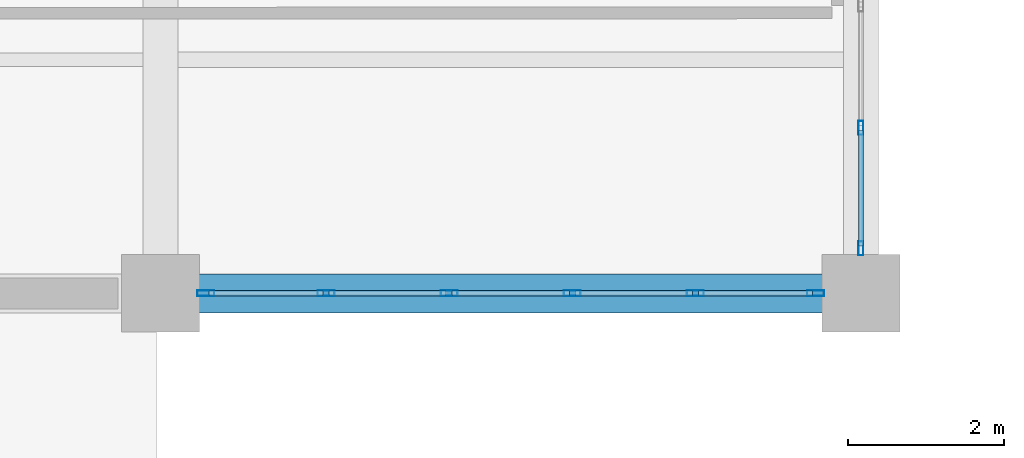
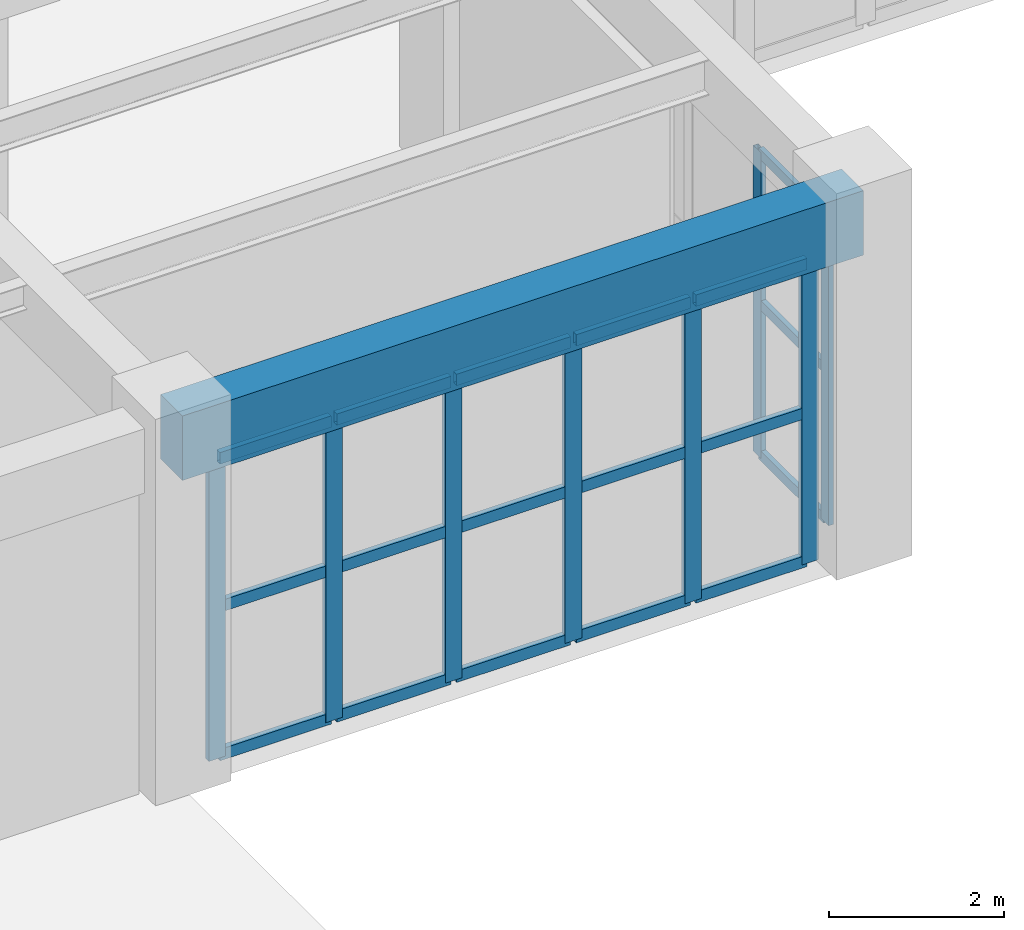
# One storey, part 78 of 140: 26 members, 1 beam, 2 elements without a shape of their own.
"""IFC4 building model written with IfcOpenShell, lengths in metres."""

from ifc_helpers import new_model, si_unit, direction, frame, origin, origin_2d, place, context, subcontext, project, spatial, rectangle, hollow_rectangle, extrude, material, material_profile, profile_set, type_object, element, aggregate, save


model = new_model("IFC4")

# Units and contexts
model_context = context("Model", 3, precision=1e-05, world=origin(), true_north=direction((0.0, 1.0)))
body_context = subcontext(model_context, "Body", "Model", "MODEL_VIEW")
ifc_project = project(units=[si_unit("LENGTHUNIT", "METRE"), si_unit("AREAUNIT", "SQUARE_METRE"), si_unit("VOLUMEUNIT", "CUBIC_METRE"), si_unit("PLANEANGLEUNIT", "RADIAN"), si_unit("MASSUNIT", "GRAM", prefix="KILO")], contexts=[model_context])

# Site, building, storey
site_placement = place(None, origin())
site = spatial("IfcSite", under=ifc_project, at=site_placement, CompositionType="ELEMENT")
building_placement = place(site_placement, origin())
building = spatial("IfcBuilding", under=site, at=building_placement, Name="Haizhuo Lancet Aquarium", CompositionType="ELEMENT")
storey_placement = place(building_placement, origin())
storey = spatial("IfcBuildingStorey", under=building, at=storey_placement, Name="L00", CompositionType="ELEMENT", Elevation=0.0)

# Beam
ifc_material_1 = material(Name="Concrete C40/50", Category="concrete")
ifc_material_profile_1 = material_profile(ifc_material_1, rectangle(XDim=0.5, YDim=0.89990234375, at=origin_2d()), Name="RC-BM 500x900")
ifc_profile_set_1 = profile_set([ifc_material_profile_1], Name="Concrete C40/50")
beam_type = type_object("IfcBeamType", Name="BM-RC-500x900", PredefinedType="BEAM", material=ifc_profile_set_1)
beam_placement = place(storey_placement, frame((63.0, -27.0, 4.669921875), z_axis=(1.0, 0.0, 0.0), x_axis=(0.0, 1.0, 0.0)))
element("IfcBeam", 1, at=beam_placement, inside=storey, type_object=beam_type, Name="L00 V3 primary girder BM-L00-V3-027", PredefinedType="BEAM", context=body_context, shape_type="SweptSolid", body=[
    extrude(rectangle(XDim=0.5, YDim=0.89990234375, at=origin_2d()), origin(), (0.0, 0.0, 1.0), 9.0),
])

# Curtain wall, members
ifc_material_2 = material(Name="Aluminium 6063-T6", Category="aluminium")
curtain_wall_type_1 = type_object("IfcCurtainWallType", Name="CWO-7910x4270", PredefinedType="NOTDEFINED", material=ifc_material_2)
curtain_wall_1_placement = place(storey_placement, origin())
curtain_wall_1 = element("IfcCurtainWall", 2, at=curtain_wall_1_placement, inside=storey, type_object=curtain_wall_type_1, Name="L00 curtain wall CW-V3-L00-034", PredefinedType="NOTDEFINED")
ifc_material_profile_2 = material_profile(ifc_material_2, hollow_rectangle(XDim=0.06494140625, YDim=0.179931640625, WallThickness=0.00390625, at=origin_2d()), Name="ALU-M 65x180x4")
ifc_profile_set_2 = profile_set([ifc_material_profile_2], Name="Aluminium 6063-T6")
member_type_1 = type_object("IfcMemberType", Name="CW-MUL-1", PredefinedType="MULLION", material=ifc_profile_set_2)
member_1_placement = place(storey_placement, frame((72.0, -24.873046875, 0.0), z_axis=(0.0, 0.0, 1.0), x_axis=(1.0, 0.0, 0.0)))
member_1 = element("IfcMember", 3, at=member_1_placement, type_object=member_type_1, Name="CWO-79x42 mullion 5", PredefinedType="MULLION", context=body_context, shape_type="SweptSolid", body=[
    extrude(hollow_rectangle(XDim=0.06494140625, YDim=0.179931640625, WallThickness=0.00390625, at=origin_2d()), origin(), (0.0, 0.0, 1.0), 4.27001953125),
])
member_2_placement = place(storey_placement, frame((72.0, -26.422119140625, 0.0), z_axis=(0.0, 0.0, 1.0), x_axis=(1.0, 0.0, 0.0)))
member_2 = element("IfcMember", 4, at=member_2_placement, type_object=member_type_1, Name="CWO-79x42 mullion 6", PredefinedType="MULLION", context=body_context, shape_type="SweptSolid", body=[
    extrude(hollow_rectangle(XDim=0.06494140625, YDim=0.179931640625, WallThickness=0.00390625, at=origin_2d()), origin(), (0.0, 0.0, 1.0), 4.27001953125),
])

curtain_wall_type_2 = type_object("IfcCurtainWallType", Name="CWO-7910x4220", PredefinedType="NOTDEFINED", material=ifc_material_2)
curtain_wall_2_placement = place(storey_placement, origin())
curtain_wall_2 = element("IfcCurtainWall", 5, at=curtain_wall_2_placement, inside=storey, type_object=curtain_wall_type_2, Name="L00 curtain wall CW-V3-L00-035", PredefinedType="NOTDEFINED")
ifc_material_profile_3 = material_profile(ifc_material_2, hollow_rectangle(XDim=0.074951171875, YDim=0.219970703125, WallThickness=0.0048828125, at=origin_2d()), Name="ALU-M 75x220x5")
ifc_profile_set_3 = profile_set([ifc_material_profile_3], Name="Aluminium 6063-T6")
member_type_2 = type_object("IfcMemberType", Name="CW-MUL-2", PredefinedType="MULLION", material=ifc_profile_set_3)
member_3_placement = place(storey_placement, frame((71.41796875, -27.0, 0.0), z_axis=(0.0, 0.0, 1.0), x_axis=(0.0, -1.0, 0.0)))
member_3 = element("IfcMember", 6, at=member_3_placement, type_object=member_type_2, Name="CWO-79x42 mullion 1", PredefinedType="MULLION", context=body_context, shape_type="SweptSolid", body=[
    extrude(hollow_rectangle(XDim=0.074951171875, YDim=0.219970703125, WallThickness=0.0048828125, at=origin_2d()), origin(), (0.0, 0.0, 1.0), 4.219970703125),
])
member_4_placement = place(storey_placement, frame((69.873046875, -27.0, 0.0), z_axis=(0.0, 0.0, 1.0), x_axis=(0.0, -1.0, 0.0)))
member_4 = element("IfcMember", 7, at=member_4_placement, type_object=member_type_2, Name="CWO-79x42 mullion 2", PredefinedType="MULLION", context=body_context, shape_type="SweptSolid", body=[
    extrude(hollow_rectangle(XDim=0.074951171875, YDim=0.219970703125, WallThickness=0.0048828125, at=origin_2d()), origin(), (0.0, 0.0, 1.0), 4.219970703125),
])
member_5_placement = place(storey_placement, frame((68.291015625, -27.0, 0.0), z_axis=(0.0, 0.0, 1.0), x_axis=(0.0, -1.0, 0.0)))
member_5 = element("IfcMember", 8, at=member_5_placement, type_object=member_type_2, Name="CWO-79x42 mullion 3", PredefinedType="MULLION", context=body_context, shape_type="SweptSolid", body=[
    extrude(hollow_rectangle(XDim=0.074951171875, YDim=0.219970703125, WallThickness=0.0048828125, at=origin_2d()), origin(), (0.0, 0.0, 1.0), 4.219970703125),
])
member_6_placement = place(storey_placement, frame((66.708984375, -27.0, 0.0), z_axis=(0.0, 0.0, 1.0), x_axis=(0.0, -1.0, 0.0)))
member_6 = element("IfcMember", 9, at=member_6_placement, type_object=member_type_2, Name="CWO-79x42 mullion 4", PredefinedType="MULLION", context=body_context, shape_type="SweptSolid", body=[
    extrude(hollow_rectangle(XDim=0.074951171875, YDim=0.219970703125, WallThickness=0.0048828125, at=origin_2d()), origin(), (0.0, 0.0, 1.0), 4.219970703125),
])
member_7_placement = place(storey_placement, frame((65.126953125, -27.0, 0.0), z_axis=(0.0, 0.0, 1.0), x_axis=(0.0, -1.0, 0.0)))
member_7 = element("IfcMember", 10, at=member_7_placement, type_object=member_type_2, Name="CWO-79x42 mullion 5", PredefinedType="MULLION", context=body_context, shape_type="SweptSolid", body=[
    extrude(hollow_rectangle(XDim=0.074951171875, YDim=0.219970703125, WallThickness=0.0048828125, at=origin_2d()), origin(), (0.0, 0.0, 1.0), 4.219970703125),
])
member_8_placement = place(storey_placement, frame((63.5830078125, -27.0, 0.0), z_axis=(0.0, 0.0, 1.0), x_axis=(0.0, -1.0, 0.0)))
member_8 = element("IfcMember", 11, at=member_8_placement, type_object=member_type_2, Name="CWO-79x42 mullion 6", PredefinedType="MULLION", context=body_context, shape_type="SweptSolid", body=[
    extrude(hollow_rectangle(XDim=0.074951171875, YDim=0.219970703125, WallThickness=0.0048828125, at=origin_2d()), origin(), (0.0, 0.0, 1.0), 4.219970703125),
])

# Member
ifc_material_profile_4 = material_profile(ifc_material_2, hollow_rectangle(XDim=0.06494140625, YDim=0.139892578125, WallThickness=0.00390625, at=origin_2d()), Name="ALU-T 65x140x4")
ifc_profile_set_4 = profile_set([ifc_material_profile_4], Name="Aluminium 6063-T6")
member_type_3 = type_object("IfcMemberType", Name="CW-TRN-1", PredefinedType="NOTDEFINED", material=ifc_profile_set_4)
member_9_placement = place(storey_placement, frame((72.0, -24.905029296875, 0.032958984375), z_axis=(0.0, -1.0, 0.0), x_axis=(1.0, 0.0, 0.0)))
member_9 = element("IfcMember", 12, at=member_9_placement, type_object=member_type_3, Name="CWO-79x42 transom 5.1", ObjectType="TRANSOM", PredefinedType="USERDEFINED", context=body_context, shape_type="SweptSolid", body=[
    extrude(hollow_rectangle(XDim=0.06494140625, YDim=0.139892578125, WallThickness=0.00390625, at=origin_2d()), origin(), (0.0, 0.0, 1.0), 1.48486328125),
])

member_10_placement = place(storey_placement, frame((72.0, -24.905029296875, 2.135009765625), z_axis=(0.0, -1.0, 0.0), x_axis=(1.0, 0.0, 0.0)))
member_10 = element("IfcMember", 13, at=member_10_placement, type_object=member_type_3, Name="CWO-79x42 transom 5.2", ObjectType="TRANSOM", PredefinedType="USERDEFINED", context=body_context, shape_type="SweptSolid", body=[
    extrude(hollow_rectangle(XDim=0.06494140625, YDim=0.139892578125, WallThickness=0.00390625, at=origin_2d()), origin(), (0.0, 0.0, 1.0), 1.48486328125),
])

member_11_placement = place(storey_placement, frame((72.0, -24.905029296875, 4.237060546875), z_axis=(0.0, -1.0, 0.0), x_axis=(1.0, 0.0, 0.0)))
member_11 = element("IfcMember", 14, at=member_11_placement, type_object=member_type_3, Name="CWO-79x42 transom 5.3", ObjectType="TRANSOM", PredefinedType="USERDEFINED", context=body_context, shape_type="SweptSolid", body=[
    extrude(hollow_rectangle(XDim=0.06494140625, YDim=0.139892578125, WallThickness=0.00390625, at=origin_2d()), origin(), (0.0, 0.0, 1.0), 1.48486328125),
])

aggregate(curtain_wall_1, [member_1, member_2, member_9, member_10, member_11])

ifc_material_profile_5 = material_profile(ifc_material_2, hollow_rectangle(XDim=0.074951171875, YDim=0.159912109375, WallThickness=0.00390625, at=origin_2d()), Name="ALU-T 75x160x4")
ifc_profile_set_5 = profile_set([ifc_material_profile_5], Name="Aluminium 6063-T6")
member_type_4 = type_object("IfcMemberType", Name="CW-TRN-2", PredefinedType="NOTDEFINED", material=ifc_profile_set_5)
member_12_placement = place(storey_placement, frame((71.3798828125, -27.0, 0.037109375), z_axis=(-1.0, 0.0, 0.0), x_axis=(0.0, -1.0, 0.0)))
member_12 = element("IfcMember", 15, at=member_12_placement, type_object=member_type_4, Name="CWO-79x42 transom 1.1", ObjectType="TRANSOM", PredefinedType="USERDEFINED", context=body_context, shape_type="SweptSolid", body=[
    extrude(hollow_rectangle(XDim=0.074951171875, YDim=0.159912109375, WallThickness=0.00390625, at=origin_2d()), origin(), (0.0, 0.0, 1.0), 1.469970703125),
])

member_13_placement = place(storey_placement, frame((71.3798828125, -27.0, 2.110107421875), z_axis=(-1.0, 0.0, 0.0), x_axis=(0.0, -1.0, 0.0)))
member_13 = element("IfcMember", 16, at=member_13_placement, type_object=member_type_4, Name="CWO-79x42 transom 1.2", ObjectType="TRANSOM", PredefinedType="USERDEFINED", context=body_context, shape_type="SweptSolid", body=[
    extrude(hollow_rectangle(XDim=0.074951171875, YDim=0.159912109375, WallThickness=0.00390625, at=origin_2d()), origin(), (0.0, 0.0, 1.0), 1.469970703125),
])

member_14_placement = place(storey_placement, frame((71.3798828125, -27.0, 4.18310546875), z_axis=(-1.0, 0.0, 0.0), x_axis=(0.0, -1.0, 0.0)))
member_14 = element("IfcMember", 17, at=member_14_placement, type_object=member_type_4, Name="CWO-79x42 transom 1.3", ObjectType="TRANSOM", PredefinedType="USERDEFINED", context=body_context, shape_type="SweptSolid", body=[
    extrude(hollow_rectangle(XDim=0.074951171875, YDim=0.159912109375, WallThickness=0.00390625, at=origin_2d()), origin(), (0.0, 0.0, 1.0), 1.469970703125),
])

member_15_placement = place(storey_placement, frame((69.8349609375, -27.0, 0.037109375), z_axis=(-1.0, 0.0, 0.0), x_axis=(0.0, -1.0, 0.0)))
member_15 = element("IfcMember", 18, at=member_15_placement, type_object=member_type_4, Name="CWO-79x42 transom 2.1", ObjectType="TRANSOM", PredefinedType="USERDEFINED", context=body_context, shape_type="SweptSolid", body=[
    extrude(hollow_rectangle(XDim=0.074951171875, YDim=0.159912109375, WallThickness=0.00390625, at=origin_2d()), origin(), (0.0, 0.0, 1.0), 1.505859375),
])

member_16_placement = place(storey_placement, frame((69.8349609375, -27.0, 2.110107421875), z_axis=(-1.0, 0.0, 0.0), x_axis=(0.0, -1.0, 0.0)))
member_16 = element("IfcMember", 19, at=member_16_placement, type_object=member_type_4, Name="CWO-79x42 transom 2.2", ObjectType="TRANSOM", PredefinedType="USERDEFINED", context=body_context, shape_type="SweptSolid", body=[
    extrude(hollow_rectangle(XDim=0.074951171875, YDim=0.159912109375, WallThickness=0.00390625, at=origin_2d()), origin(), (0.0, 0.0, 1.0), 1.505859375),
])

member_17_placement = place(storey_placement, frame((69.8349609375, -27.0, 4.18310546875), z_axis=(-1.0, 0.0, 0.0), x_axis=(0.0, -1.0, 0.0)))
member_17 = element("IfcMember", 20, at=member_17_placement, type_object=member_type_4, Name="CWO-79x42 transom 2.3", ObjectType="TRANSOM", PredefinedType="USERDEFINED", context=body_context, shape_type="SweptSolid", body=[
    extrude(hollow_rectangle(XDim=0.074951171875, YDim=0.159912109375, WallThickness=0.00390625, at=origin_2d()), origin(), (0.0, 0.0, 1.0), 1.505859375),
])

member_18_placement = place(storey_placement, frame((68.25390625, -27.0, 0.037109375), z_axis=(-1.0, 0.0, 0.0), x_axis=(0.0, -1.0, 0.0)))
member_18 = element("IfcMember", 21, at=member_18_placement, type_object=member_type_4, Name="CWO-79x42 transom 3.1", ObjectType="TRANSOM", PredefinedType="USERDEFINED", context=body_context, shape_type="SweptSolid", body=[
    extrude(hollow_rectangle(XDim=0.074951171875, YDim=0.159912109375, WallThickness=0.00390625, at=origin_2d()), origin(), (0.0, 0.0, 1.0), 1.5078125),
])

member_19_placement = place(storey_placement, frame((68.25390625, -27.0, 2.110107421875), z_axis=(-1.0, 0.0, 0.0), x_axis=(0.0, -1.0, 0.0)))
member_19 = element("IfcMember", 22, at=member_19_placement, type_object=member_type_4, Name="CWO-79x42 transom 3.2", ObjectType="TRANSOM", PredefinedType="USERDEFINED", context=body_context, shape_type="SweptSolid", body=[
    extrude(hollow_rectangle(XDim=0.074951171875, YDim=0.159912109375, WallThickness=0.00390625, at=origin_2d()), origin(), (0.0, 0.0, 1.0), 1.5078125),
])

member_20_placement = place(storey_placement, frame((68.25390625, -27.0, 4.18310546875), z_axis=(-1.0, 0.0, 0.0), x_axis=(0.0, -1.0, 0.0)))
member_20 = element("IfcMember", 23, at=member_20_placement, type_object=member_type_4, Name="CWO-79x42 transom 3.3", ObjectType="TRANSOM", PredefinedType="USERDEFINED", context=body_context, shape_type="SweptSolid", body=[
    extrude(hollow_rectangle(XDim=0.074951171875, YDim=0.159912109375, WallThickness=0.00390625, at=origin_2d()), origin(), (0.0, 0.0, 1.0), 1.5078125),
])

member_21_placement = place(storey_placement, frame((66.6708984375, -27.0, 0.037109375), z_axis=(-1.0, 0.0, 0.0), x_axis=(0.0, -1.0, 0.0)))
member_21 = element("IfcMember", 24, at=member_21_placement, type_object=member_type_4, Name="CWO-79x42 transom 4.1", ObjectType="TRANSOM", PredefinedType="USERDEFINED", context=body_context, shape_type="SweptSolid", body=[
    extrude(hollow_rectangle(XDim=0.074951171875, YDim=0.159912109375, WallThickness=0.00390625, at=origin_2d()), origin(), (0.0, 0.0, 1.0), 1.505859375),
])

member_22_placement = place(storey_placement, frame((66.6708984375, -27.0, 2.110107421875), z_axis=(-1.0, 0.0, 0.0), x_axis=(0.0, -1.0, 0.0)))
member_22 = element("IfcMember", 25, at=member_22_placement, type_object=member_type_4, Name="CWO-79x42 transom 4.2", ObjectType="TRANSOM", PredefinedType="USERDEFINED", context=body_context, shape_type="SweptSolid", body=[
    extrude(hollow_rectangle(XDim=0.074951171875, YDim=0.159912109375, WallThickness=0.00390625, at=origin_2d()), origin(), (0.0, 0.0, 1.0), 1.505859375),
])

member_23_placement = place(storey_placement, frame((66.6708984375, -27.0, 4.18310546875), z_axis=(-1.0, 0.0, 0.0), x_axis=(0.0, -1.0, 0.0)))
member_23 = element("IfcMember", 26, at=member_23_placement, type_object=member_type_4, Name="CWO-79x42 transom 4.3", ObjectType="TRANSOM", PredefinedType="USERDEFINED", context=body_context, shape_type="SweptSolid", body=[
    extrude(hollow_rectangle(XDim=0.074951171875, YDim=0.159912109375, WallThickness=0.00390625, at=origin_2d()), origin(), (0.0, 0.0, 1.0), 1.505859375),
])

member_24_placement = place(storey_placement, frame((65.090087890625, -27.0, 0.037109375), z_axis=(-1.0, 0.0, 0.0), x_axis=(0.0, -1.0, 0.0)))
member_24 = element("IfcMember", 27, at=member_24_placement, type_object=member_type_4, Name="CWO-79x42 transom 5.1", ObjectType="TRANSOM", PredefinedType="USERDEFINED", context=body_context, shape_type="SweptSolid", body=[
    extrude(hollow_rectangle(XDim=0.074951171875, YDim=0.159912109375, WallThickness=0.00390625, at=origin_2d()), origin(), (0.0, 0.0, 1.0), 1.469970703125),
])

member_25_placement = place(storey_placement, frame((65.090087890625, -27.0, 2.110107421875), z_axis=(-1.0, 0.0, 0.0), x_axis=(0.0, -1.0, 0.0)))
member_25 = element("IfcMember", 28, at=member_25_placement, type_object=member_type_4, Name="CWO-79x42 transom 5.2", ObjectType="TRANSOM", PredefinedType="USERDEFINED", context=body_context, shape_type="SweptSolid", body=[
    extrude(hollow_rectangle(XDim=0.074951171875, YDim=0.159912109375, WallThickness=0.00390625, at=origin_2d()), origin(), (0.0, 0.0, 1.0), 1.469970703125),
])

member_26_placement = place(storey_placement, frame((65.090087890625, -27.0, 4.18310546875), z_axis=(-1.0, 0.0, 0.0), x_axis=(0.0, -1.0, 0.0)))
member_26 = element("IfcMember", 29, at=member_26_placement, type_object=member_type_4, Name="CWO-79x42 transom 5.3", ObjectType="TRANSOM", PredefinedType="USERDEFINED", context=body_context, shape_type="SweptSolid", body=[
    extrude(hollow_rectangle(XDim=0.074951171875, YDim=0.159912109375, WallThickness=0.00390625, at=origin_2d()), origin(), (0.0, 0.0, 1.0), 1.469970703125),
])

aggregate(curtain_wall_2, [member_3, member_4, member_5, member_6, member_7, member_8, member_12, member_13, member_14, member_15, member_16, member_17, member_18, member_19, member_20, member_21, member_22, member_23, member_24, member_25, member_26])

save(model, "model.ifc")
